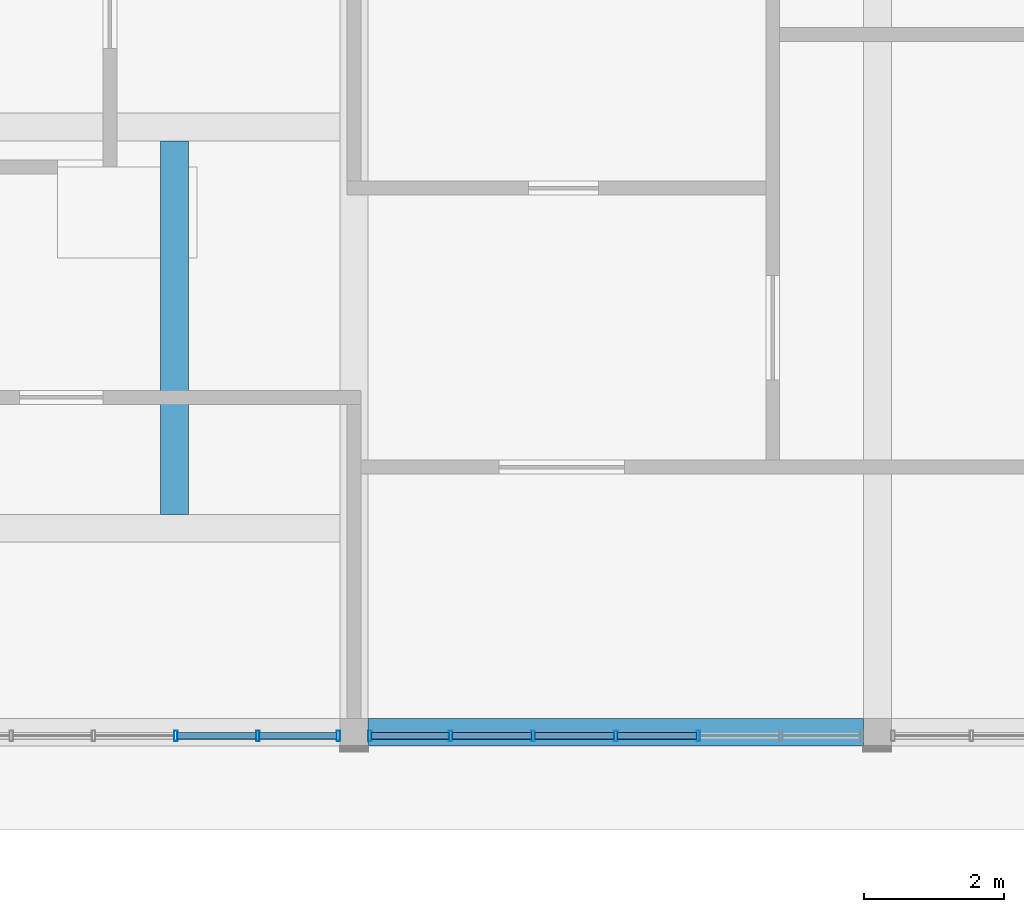
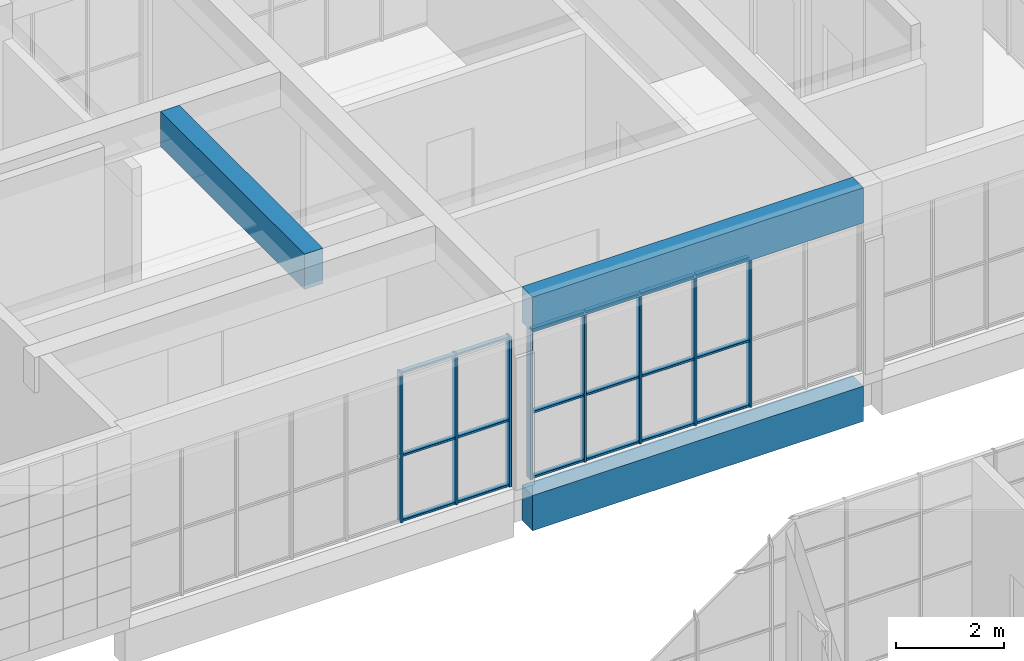
# One storey, part 11 of 92: 26 members, 3 beams, 2 elements without a shape of their own.
"""IFC4 building model written with IfcOpenShell, lengths in metres."""

from ifc_helpers import new_model, si_unit, direction, frame, origin, origin_2d, place, context, subcontext, project, spatial, rectangle, hollow_rectangle, extrude, material, material_profile, profile_set, type_object, element, aggregate, save


model = new_model("IFC4")

# Units and contexts
model_context = context("Model", 3, precision=1e-05, world=origin(), true_north=direction((0.0, 1.0)))
body_context = subcontext(model_context, "Body", "Model", "MODEL_VIEW")
ifc_project = project(units=[si_unit("LENGTHUNIT", "METRE"), si_unit("AREAUNIT", "SQUARE_METRE"), si_unit("VOLUMEUNIT", "CUBIC_METRE"), si_unit("PLANEANGLEUNIT", "RADIAN"), si_unit("MASSUNIT", "GRAM", prefix="KILO")], contexts=[model_context])

# Site, building, storey
site_placement = place(None, origin())
site = spatial("IfcSite", under=ifc_project, at=site_placement, CompositionType="ELEMENT")
building_placement = place(site_placement, origin())
building = spatial("IfcBuilding", under=site, at=building_placement, Name="Sun Court Science Centre", CompositionType="ELEMENT")
storey_placement = place(building_placement, frame((0.0, 0.0, 11.25)))
storey = spatial("IfcBuildingStorey", under=building, at=storey_placement, Name="L02", CompositionType="ELEMENT", Elevation=11.25)

# Curtain wall, members
ifc_material_1 = material(Name="Aluminium EN AW-6063 T6", Category="aluminium")
curtain_wall_type = type_object("IfcCurtainWallType", Name="Pavilion curtain wall 1200", PredefinedType="NOTDEFINED", material=ifc_material_1)
curtain_wall_1_placement = place(storey_placement, origin())
curtain_wall_1 = element("IfcCurtainWall", 1, at=curtain_wall_1_placement, inside=storey, type_object=curtain_wall_type, Name="Curtain wall V5 S L02 02", PredefinedType="NOTDEFINED")
ifc_material_2 = material(Name="Aluminium EN AW-6063 T6", Category="aluminium")
ifc_material_profile_1 = material_profile(ifc_material_2, hollow_rectangle(XDim=0.050048828125, YDim=0.14990234375, WallThickness=0.00390625, InnerFilletRadius=0.00390625, OuterFilletRadius=0.006103515625, at=origin_2d()), Name="AL 50x150x4")
ifc_profile_set_1 = profile_set([ifc_material_profile_1], Name="Aluminium EN AW-6063 T6")
member_type_1 = type_object("IfcMemberType", Name="Curtain wall mullion AL 50x150", PredefinedType="MULLION", material=ifc_profile_set_1)
member_1_placement = place(storey_placement, frame((51.22509765625, 36.14990234375, 0.0), z_axis=(0.0, 0.0, 1.0), x_axis=(-1.0, 0.0, 0.0)))
member_1 = element("IfcMember", 2, at=member_1_placement, type_object=member_type_1, Name="CW3-09 mullion 7", PredefinedType="MULLION", context=body_context, shape_type="SweptSolid", body=[
    extrude(hollow_rectangle(XDim=0.050048828125, YDim=0.14990234375, WallThickness=0.00390625, InnerFilletRadius=0.00390625, OuterFilletRadius=0.006103515625, at=origin_2d()), origin(), (0.0, 0.0, 1.0), 3.39990234375),
])
member_2_placement = place(storey_placement, frame((52.38330078125, 36.14990234375, 0.0), z_axis=(0.0, 0.0, 1.0), x_axis=(-1.0, 0.0, 0.0)))
member_2 = element("IfcMember", 3, at=member_2_placement, type_object=member_type_1, Name="CW3-09 mullion 6", PredefinedType="MULLION", context=body_context, shape_type="SweptSolid", body=[
    extrude(hollow_rectangle(XDim=0.050048828125, YDim=0.14990234375, WallThickness=0.00390625, InnerFilletRadius=0.00390625, OuterFilletRadius=0.006103515625, at=origin_2d()), origin(), (0.0, 0.0, 1.0), 3.39990234375),
])
member_3_placement = place(storey_placement, frame((53.566650390625, 36.14990234375, 0.0), z_axis=(0.0, 0.0, 1.0), x_axis=(-1.0, 0.0, 0.0)))
member_3 = element("IfcMember", 4, at=member_3_placement, type_object=member_type_1, Name="CW3-09 mullion 5", PredefinedType="MULLION", context=body_context, shape_type="SweptSolid", body=[
    extrude(hollow_rectangle(XDim=0.050048828125, YDim=0.14990234375, WallThickness=0.00390625, InnerFilletRadius=0.00390625, OuterFilletRadius=0.006103515625, at=origin_2d()), origin(), (0.0, 0.0, 1.0), 3.39990234375),
])
member_4_placement = place(storey_placement, frame((54.75, 36.14990234375, 0.0), z_axis=(0.0, 0.0, 1.0), x_axis=(-1.0, 0.0, 0.0)))
member_4 = element("IfcMember", 5, at=member_4_placement, type_object=member_type_1, Name="CW3-09 mullion 4", PredefinedType="MULLION", context=body_context, shape_type="SweptSolid", body=[
    extrude(hollow_rectangle(XDim=0.050048828125, YDim=0.14990234375, WallThickness=0.00390625, InnerFilletRadius=0.00390625, OuterFilletRadius=0.006103515625, at=origin_2d()), origin(), (0.0, 0.0, 1.0), 3.39990234375),
])
member_5_placement = place(storey_placement, frame((55.933349609375, 36.14990234375, 0.0), z_axis=(0.0, 0.0, 1.0), x_axis=(-1.0, 0.0, 0.0)))
member_5 = element("IfcMember", 6, at=member_5_placement, type_object=member_type_1, Name="CW3-09 mullion 3", PredefinedType="MULLION", context=body_context, shape_type="SweptSolid", body=[
    extrude(hollow_rectangle(XDim=0.050048828125, YDim=0.14990234375, WallThickness=0.00390625, InnerFilletRadius=0.00390625, OuterFilletRadius=0.006103515625, at=origin_2d()), origin(), (0.0, 0.0, 1.0), 3.39990234375),
])

curtain_wall_2_placement = place(storey_placement, origin())
curtain_wall_2 = element("IfcCurtainWall", 7, at=curtain_wall_2_placement, inside=storey, type_object=curtain_wall_type, Name="Curtain wall V5 S L02 03", PredefinedType="NOTDEFINED")
member_6_placement = place(storey_placement, frame((48.44287109375, 36.14990234375, 0.0), z_axis=(0.0, 0.0, 1.0), x_axis=(-1.0, 0.0, 0.0)))
member_6 = element("IfcMember", 8, at=member_6_placement, type_object=member_type_1, Name="CW3-10 mullion 3", PredefinedType="MULLION", context=body_context, shape_type="SweptSolid", body=[
    extrude(hollow_rectangle(XDim=0.050048828125, YDim=0.14990234375, WallThickness=0.00390625, InnerFilletRadius=0.00390625, OuterFilletRadius=0.006103515625, at=origin_2d()), origin(), (0.0, 0.0, 1.0), 3.39990234375),
])
member_7_placement = place(storey_placement, frame((49.621337890625, 36.14990234375, 0.0), z_axis=(0.0, 0.0, 1.0), x_axis=(-1.0, 0.0, 0.0)))
member_7 = element("IfcMember", 9, at=member_7_placement, type_object=member_type_1, Name="CW3-10 mullion 2", PredefinedType="MULLION", context=body_context, shape_type="SweptSolid", body=[
    extrude(hollow_rectangle(XDim=0.050048828125, YDim=0.14990234375, WallThickness=0.00390625, InnerFilletRadius=0.00390625, OuterFilletRadius=0.006103515625, at=origin_2d()), origin(), (0.0, 0.0, 1.0), 3.39990234375),
])
member_8_placement = place(storey_placement, frame((50.77490234375, 36.14990234375, 0.0), z_axis=(0.0, 0.0, 1.0), x_axis=(-1.0, 0.0, 0.0)))
member_8 = element("IfcMember", 10, at=member_8_placement, type_object=member_type_1, Name="CW3-10 mullion 1", PredefinedType="MULLION", context=body_context, shape_type="SweptSolid", body=[
    extrude(hollow_rectangle(XDim=0.050048828125, YDim=0.14990234375, WallThickness=0.00390625, InnerFilletRadius=0.00390625, OuterFilletRadius=0.006103515625, at=origin_2d()), origin(), (0.0, 0.0, 1.0), 3.39990234375),
])

# Member
ifc_material_3 = material(Name="Aluminium EN AW-6063 T6", Category="aluminium")
ifc_material_profile_2 = material_profile(ifc_material_3, hollow_rectangle(XDim=0.050048828125, YDim=0.10009765625, WallThickness=0.00390625, InnerFilletRadius=0.00390625, OuterFilletRadius=0.006103515625, at=origin_2d()), Name="AL 50x100x4")
ifc_profile_set_2 = profile_set([ifc_material_profile_2], Name="Aluminium EN AW-6063 T6")
member_type_2 = type_object("IfcMemberType", Name="Curtain wall transom AL 50x100", PredefinedType="USERDEFINED", material=ifc_profile_set_2)
member_9_placement = place(storey_placement, frame((52.3583984375, 36.14990234375, 0.02490234375), z_axis=(-1.0, 0.0, 0.0), x_axis=(0.0, 0.0, 1.0)))
member_9 = element("IfcMember", 11, at=member_9_placement, type_object=member_type_2, Name="CW3-09 transom 6.1", ObjectType="TRANSOM", PredefinedType="USERDEFINED", context=body_context, shape_type="SweptSolid", body=[
    extrude(hollow_rectangle(XDim=0.050048828125, YDim=0.10009765625, WallThickness=0.00390625, InnerFilletRadius=0.00390625, OuterFilletRadius=0.006103515625, at=origin_2d()), origin(), (0.0, 0.0, 1.0), 1.1083984375),
])

member_10_placement = place(storey_placement, frame((53.541748046875, 36.14990234375, 0.02490234375), z_axis=(-1.0, 0.0, 0.0), x_axis=(0.0, 0.0, 1.0)))
member_10 = element("IfcMember", 12, at=member_10_placement, type_object=member_type_2, Name="CW3-09 transom 5.1", ObjectType="TRANSOM", PredefinedType="USERDEFINED", context=body_context, shape_type="SweptSolid", body=[
    extrude(hollow_rectangle(XDim=0.050048828125, YDim=0.10009765625, WallThickness=0.00390625, InnerFilletRadius=0.00390625, OuterFilletRadius=0.006103515625, at=origin_2d()), origin(), (0.0, 0.0, 1.0), 1.13330078125),
])

member_11_placement = place(storey_placement, frame((54.72509765625, 36.14990234375, 0.02490234375), z_axis=(-1.0, 0.0, 0.0), x_axis=(0.0, 0.0, 1.0)))
member_11 = element("IfcMember", 13, at=member_11_placement, type_object=member_type_2, Name="CW3-09 transom 4.1", ObjectType="TRANSOM", PredefinedType="USERDEFINED", context=body_context, shape_type="SweptSolid", body=[
    extrude(hollow_rectangle(XDim=0.050048828125, YDim=0.10009765625, WallThickness=0.00390625, InnerFilletRadius=0.00390625, OuterFilletRadius=0.006103515625, at=origin_2d()), origin(), (0.0, 0.0, 1.0), 1.133544921875),
])

member_12_placement = place(storey_placement, frame((55.908447265625, 36.14990234375, 0.02490234375), z_axis=(-1.0, 0.0, 0.0), x_axis=(0.0, 0.0, 1.0)))
member_12 = element("IfcMember", 14, at=member_12_placement, type_object=member_type_2, Name="CW3-09 transom 3.1", ObjectType="TRANSOM", PredefinedType="USERDEFINED", context=body_context, shape_type="SweptSolid", body=[
    extrude(hollow_rectangle(XDim=0.050048828125, YDim=0.10009765625, WallThickness=0.00390625, InnerFilletRadius=0.00390625, OuterFilletRadius=0.006103515625, at=origin_2d()), origin(), (0.0, 0.0, 1.0), 1.133544921875),
])

member_13_placement = place(storey_placement, frame((52.3583984375, 36.14990234375, 1.5), z_axis=(-1.0, 0.0, 0.0), x_axis=(0.0, 0.0, 1.0)))
member_13 = element("IfcMember", 15, at=member_13_placement, type_object=member_type_2, Name="CW3-09 transom 6.2", ObjectType="TRANSOM", PredefinedType="USERDEFINED", context=body_context, shape_type="SweptSolid", body=[
    extrude(hollow_rectangle(XDim=0.050048828125, YDim=0.10009765625, WallThickness=0.00390625, InnerFilletRadius=0.00390625, OuterFilletRadius=0.006103515625, at=origin_2d()), origin(), (0.0, 0.0, 1.0), 1.1083984375),
])

member_14_placement = place(storey_placement, frame((53.541748046875, 36.14990234375, 1.5), z_axis=(-1.0, 0.0, 0.0), x_axis=(0.0, 0.0, 1.0)))
member_14 = element("IfcMember", 16, at=member_14_placement, type_object=member_type_2, Name="CW3-09 transom 5.2", ObjectType="TRANSOM", PredefinedType="USERDEFINED", context=body_context, shape_type="SweptSolid", body=[
    extrude(hollow_rectangle(XDim=0.050048828125, YDim=0.10009765625, WallThickness=0.00390625, InnerFilletRadius=0.00390625, OuterFilletRadius=0.006103515625, at=origin_2d()), origin(), (0.0, 0.0, 1.0), 1.13330078125),
])

member_15_placement = place(storey_placement, frame((54.72509765625, 36.14990234375, 1.5), z_axis=(-1.0, 0.0, 0.0), x_axis=(0.0, 0.0, 1.0)))
member_15 = element("IfcMember", 17, at=member_15_placement, type_object=member_type_2, Name="CW3-09 transom 4.2", ObjectType="TRANSOM", PredefinedType="USERDEFINED", context=body_context, shape_type="SweptSolid", body=[
    extrude(hollow_rectangle(XDim=0.050048828125, YDim=0.10009765625, WallThickness=0.00390625, InnerFilletRadius=0.00390625, OuterFilletRadius=0.006103515625, at=origin_2d()), origin(), (0.0, 0.0, 1.0), 1.133544921875),
])

member_16_placement = place(storey_placement, frame((55.908447265625, 36.14990234375, 1.5), z_axis=(-1.0, 0.0, 0.0), x_axis=(0.0, 0.0, 1.0)))
member_16 = element("IfcMember", 18, at=member_16_placement, type_object=member_type_2, Name="CW3-09 transom 3.2", ObjectType="TRANSOM", PredefinedType="USERDEFINED", context=body_context, shape_type="SweptSolid", body=[
    extrude(hollow_rectangle(XDim=0.050048828125, YDim=0.10009765625, WallThickness=0.00390625, InnerFilletRadius=0.00390625, OuterFilletRadius=0.006103515625, at=origin_2d()), origin(), (0.0, 0.0, 1.0), 1.133544921875),
])

member_17_placement = place(storey_placement, frame((52.3583984375, 36.14990234375, 3.375), z_axis=(-1.0, 0.0, 0.0), x_axis=(0.0, 0.0, 1.0)))
member_17 = element("IfcMember", 19, at=member_17_placement, type_object=member_type_2, Name="CW3-09 transom 6.3", ObjectType="TRANSOM", PredefinedType="USERDEFINED", context=body_context, shape_type="SweptSolid", body=[
    extrude(hollow_rectangle(XDim=0.050048828125, YDim=0.10009765625, WallThickness=0.00390625, InnerFilletRadius=0.00390625, OuterFilletRadius=0.006103515625, at=origin_2d()), origin(), (0.0, 0.0, 1.0), 1.1083984375),
])

member_18_placement = place(storey_placement, frame((53.541748046875, 36.14990234375, 3.375), z_axis=(-1.0, 0.0, 0.0), x_axis=(0.0, 0.0, 1.0)))
member_18 = element("IfcMember", 20, at=member_18_placement, type_object=member_type_2, Name="CW3-09 transom 5.3", ObjectType="TRANSOM", PredefinedType="USERDEFINED", context=body_context, shape_type="SweptSolid", body=[
    extrude(hollow_rectangle(XDim=0.050048828125, YDim=0.10009765625, WallThickness=0.00390625, InnerFilletRadius=0.00390625, OuterFilletRadius=0.006103515625, at=origin_2d()), origin(), (0.0, 0.0, 1.0), 1.13330078125),
])

member_19_placement = place(storey_placement, frame((54.72509765625, 36.14990234375, 3.375), z_axis=(-1.0, 0.0, 0.0), x_axis=(0.0, 0.0, 1.0)))
member_19 = element("IfcMember", 21, at=member_19_placement, type_object=member_type_2, Name="CW3-09 transom 4.3", ObjectType="TRANSOM", PredefinedType="USERDEFINED", context=body_context, shape_type="SweptSolid", body=[
    extrude(hollow_rectangle(XDim=0.050048828125, YDim=0.10009765625, WallThickness=0.00390625, InnerFilletRadius=0.00390625, OuterFilletRadius=0.006103515625, at=origin_2d()), origin(), (0.0, 0.0, 1.0), 1.133544921875),
])

member_20_placement = place(storey_placement, frame((55.908447265625, 36.14990234375, 3.375), z_axis=(-1.0, 0.0, 0.0), x_axis=(0.0, 0.0, 1.0)))
member_20 = element("IfcMember", 22, at=member_20_placement, type_object=member_type_2, Name="CW3-09 transom 3.3", ObjectType="TRANSOM", PredefinedType="USERDEFINED", context=body_context, shape_type="SweptSolid", body=[
    extrude(hollow_rectangle(XDim=0.050048828125, YDim=0.10009765625, WallThickness=0.00390625, InnerFilletRadius=0.00390625, OuterFilletRadius=0.006103515625, at=origin_2d()), origin(), (0.0, 0.0, 1.0), 1.133544921875),
])

aggregate(curtain_wall_1, [member_1, member_2, member_3, member_4, member_5, member_9, member_10, member_11, member_12, member_13, member_14, member_15, member_16, member_17, member_18, member_19, member_20])

member_21_placement = place(storey_placement, frame((49.596435546875, 36.14990234375, 0.02490234375), z_axis=(-1.0, 0.0, 0.0), x_axis=(0.0, 0.0, 1.0)))
member_21 = element("IfcMember", 23, at=member_21_placement, type_object=member_type_2, Name="CW3-10 transom 2.1", ObjectType="TRANSOM", PredefinedType="USERDEFINED", context=body_context, shape_type="SweptSolid", body=[
    extrude(hollow_rectangle(XDim=0.050048828125, YDim=0.10009765625, WallThickness=0.00390625, InnerFilletRadius=0.00390625, OuterFilletRadius=0.006103515625, at=origin_2d()), origin(), (0.0, 0.0, 1.0), 1.128662109375),
])

member_22_placement = place(storey_placement, frame((50.75, 36.14990234375, 0.02490234375), z_axis=(-1.0, 0.0, 0.0), x_axis=(0.0, 0.0, 1.0)))
member_22 = element("IfcMember", 24, at=member_22_placement, type_object=member_type_2, Name="CW3-10 transom 1.1", ObjectType="TRANSOM", PredefinedType="USERDEFINED", context=body_context, shape_type="SweptSolid", body=[
    extrude(hollow_rectangle(XDim=0.050048828125, YDim=0.10009765625, WallThickness=0.00390625, InnerFilletRadius=0.00390625, OuterFilletRadius=0.006103515625, at=origin_2d()), origin(), (0.0, 0.0, 1.0), 1.103515625),
])

member_23_placement = place(storey_placement, frame((49.596435546875, 36.14990234375, 1.5), z_axis=(-1.0, 0.0, 0.0), x_axis=(0.0, 0.0, 1.0)))
member_23 = element("IfcMember", 25, at=member_23_placement, type_object=member_type_2, Name="CW3-10 transom 2.2", ObjectType="TRANSOM", PredefinedType="USERDEFINED", context=body_context, shape_type="SweptSolid", body=[
    extrude(hollow_rectangle(XDim=0.050048828125, YDim=0.10009765625, WallThickness=0.00390625, InnerFilletRadius=0.00390625, OuterFilletRadius=0.006103515625, at=origin_2d()), origin(), (0.0, 0.0, 1.0), 1.128662109375),
])

member_24_placement = place(storey_placement, frame((50.75, 36.14990234375, 1.5), z_axis=(-1.0, 0.0, 0.0), x_axis=(0.0, 0.0, 1.0)))
member_24 = element("IfcMember", 26, at=member_24_placement, type_object=member_type_2, Name="CW3-10 transom 1.2", ObjectType="TRANSOM", PredefinedType="USERDEFINED", context=body_context, shape_type="SweptSolid", body=[
    extrude(hollow_rectangle(XDim=0.050048828125, YDim=0.10009765625, WallThickness=0.00390625, InnerFilletRadius=0.00390625, OuterFilletRadius=0.006103515625, at=origin_2d()), origin(), (0.0, 0.0, 1.0), 1.103515625),
])

member_25_placement = place(storey_placement, frame((49.596435546875, 36.14990234375, 3.375), z_axis=(-1.0, 0.0, 0.0), x_axis=(0.0, 0.0, 1.0)))
member_25 = element("IfcMember", 27, at=member_25_placement, type_object=member_type_2, Name="CW3-10 transom 2.3", ObjectType="TRANSOM", PredefinedType="USERDEFINED", context=body_context, shape_type="SweptSolid", body=[
    extrude(hollow_rectangle(XDim=0.050048828125, YDim=0.10009765625, WallThickness=0.00390625, InnerFilletRadius=0.00390625, OuterFilletRadius=0.006103515625, at=origin_2d()), origin(), (0.0, 0.0, 1.0), 1.128662109375),
])

member_26_placement = place(storey_placement, frame((50.75, 36.14990234375, 3.375), z_axis=(-1.0, 0.0, 0.0), x_axis=(0.0, 0.0, 1.0)))
member_26 = element("IfcMember", 28, at=member_26_placement, type_object=member_type_2, Name="CW3-10 transom 1.3", ObjectType="TRANSOM", PredefinedType="USERDEFINED", context=body_context, shape_type="SweptSolid", body=[
    extrude(hollow_rectangle(XDim=0.050048828125, YDim=0.10009765625, WallThickness=0.00390625, InnerFilletRadius=0.00390625, OuterFilletRadius=0.006103515625, at=origin_2d()), origin(), (0.0, 0.0, 1.0), 1.103515625),
])

aggregate(curtain_wall_2, [member_6, member_7, member_8, member_21, member_22, member_23, member_24, member_25, member_26])

# Beams
ifc_material_4 = material(Name="Concrete C25/30", Category="concrete")
ifc_material_profile_3 = material_profile(ifc_material_4, rectangle(XDim=0.39990234375, YDim=0.800048828125, at=origin_2d()), Name="RC 400x800")
ifc_profile_set_3 = profile_set([ifc_material_profile_3], Name="Concrete C25/30")
beam_type = type_object("IfcBeamType", Name="RC girder 400x800", PredefinedType="BEAM", material=ifc_profile_set_3)
for number, where, z_axis, x_axis, name in (
    (29, (51.199951171875, 36.199951171875, -0.699951171875), (1.0, 0.0, 0.0), (0.0, 1.0, 0.0), "Girder L02 row 1"),
    (30, (51.199951171875, 36.199951171875, 3.800048828125), (1.0, 0.0, 0.0), (0.0, 1.0, 0.0), "Girder L03 row 1"),
):
    element("IfcBeam", number, at=place(storey_placement, frame(where, z_axis=z_axis, x_axis=x_axis)), inside=storey, type_object=beam_type, Name=name, PredefinedType="BEAM", context=body_context, shape_type="SweptSolid", body=[
        extrude(rectangle(XDim=0.39990234375, YDim=0.800048828125, at=origin_2d()), origin(), (0.0, 0.0, 1.0), 7.10009765625),
    ])
beam_placement = place(storey_placement, frame((48.425048828125, 39.324951171875, 3.800048828125), z_axis=(0.0, 1.0, 0.0), x_axis=(-1.0, 0.0, 0.0)))
element("IfcBeam", 31, at=beam_placement, inside=storey, type_object=beam_type, Name="Roof garden lobby beam east", PredefinedType="BEAM", context=body_context, shape_type="SweptSolid", body=[
    extrude(rectangle(XDim=0.39990234375, YDim=0.800048828125, at=origin_2d()), origin(), (0.0, 0.0, 1.0), 5.35009765625),
])

save(model, "model.ifc")
